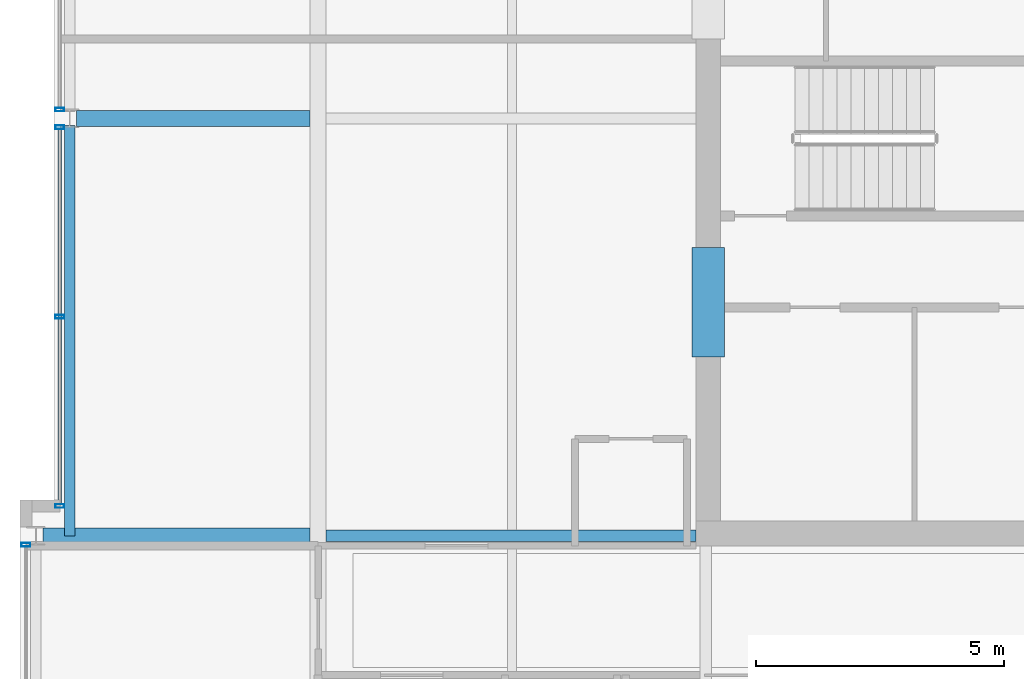
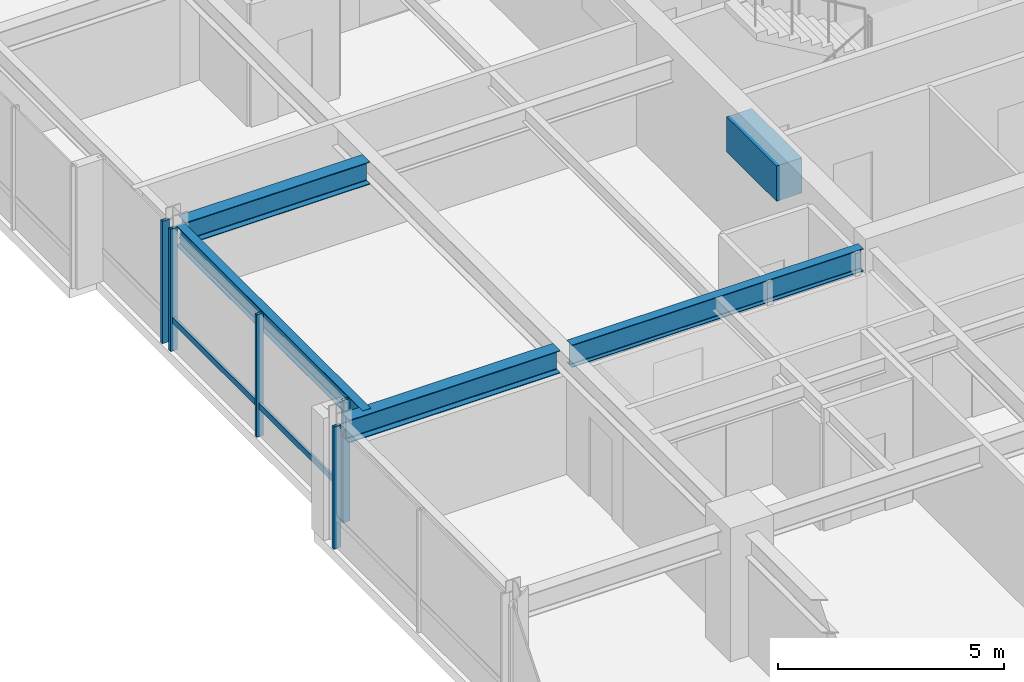
# One storey, part 10 of 34: 6 members, 5 beams, 3 elements without a shape of their own.
"""IFC4 building model written with IfcOpenShell, lengths in metres."""

from ifc_helpers import new_model, si_unit, direction, frame, origin, origin_2d, place, context, subcontext, project, spatial, rectangle, hollow_rectangle, i_section, extrude, material, layer, layer_set, material_profile, profile_set, type_object, element, aggregate, save


model = new_model("IFC4")

# Units and contexts
model_context = context("Model", 3, precision=1e-05, world=origin(), true_north=direction((0.0, 1.0)))
body_context = subcontext(model_context, "Body", "Model", "MODEL_VIEW")
ifc_project = project(units=[si_unit("LENGTHUNIT", "METRE"), si_unit("AREAUNIT", "SQUARE_METRE"), si_unit("VOLUMEUNIT", "CUBIC_METRE"), si_unit("PLANEANGLEUNIT", "RADIAN"), si_unit("MASSUNIT", "GRAM", prefix="KILO")], contexts=[model_context])

# Site, building, storey
site_placement = place(None, origin())
site = spatial("IfcSite", under=ifc_project, at=site_placement, CompositionType="ELEMENT")
building_placement = place(site_placement, origin())
building = spatial("IfcBuilding", under=site, at=building_placement, Name="Drelvath Grand Hotel", CompositionType="ELEMENT")
storey_placement = place(building_placement, frame((0.0, 0.0, 251.89990234375)))
storey = spatial("IfcBuildingStorey", under=building, at=storey_placement, Name="L66", CompositionType="ELEMENT", Elevation=251.89990234375)

# Beam
ifc_material_1 = material(Name="Concrete f'c 55 MPa", Category="concrete")
ifc_material_profile_1 = material_profile(ifc_material_1, rectangle(XDim=0.64990234375, YDim=0.949951171875, at=origin_2d()), Name="CB650X950")
ifc_profile_set_1 = profile_set([ifc_material_profile_1], Name="Concrete f'c 55 MPa")
beam_type_1 = type_object("IfcBeamType", Name="Core Coupling Lintel CB650X950", PredefinedType="LINTEL", material=ifc_profile_set_1)
beam_1_placement = place(storey_placement, frame((-8.35009765625, 22.199951171875, 2.8251953125), z_axis=(0.0, 1.0, 0.0), x_axis=(-1.0, 0.0, 0.0)))
element("IfcBeam", 1, at=beam_1_placement, inside=storey, type_object=beam_type_1, Name="L66 Core Coupling Lintel WS", PredefinedType="LINTEL", context=body_context, shape_type="SweptSolid", body=[
    extrude(rectangle(XDim=0.64990234375, YDim=0.949951171875, at=origin_2d()), origin(), (0.0, 0.0, 1.0), 2.199951171875),
])

# Curtain wall, member
ifc_material_2 = material(Name="Platinum-Mist Anodised Aluminium Frame", Category="aluminium")
ifc_layer = layer(ifc_material_2, 0.199951171875)
ifc_layer_set = layer_set([ifc_layer], Name="Platinum-Mist Anodised Aluminium Frame")
curtain_wall_type = type_object("IfcCurtainWallType", Name="Stick Curtain Wall CW-05 Platinum Mist High-Rise", PredefinedType="NOTDEFINED", material=ifc_layer_set)
curtain_wall_1_placement = place(storey_placement, origin())
curtain_wall_1 = element("IfcCurtainWall", 2, at=curtain_wall_1_placement, inside=storey, type_object=curtain_wall_type, Name="L66 CW-05 Curtain Wall CW05-L66-WM1", PredefinedType="NOTDEFINED")
ifc_material_profile_2 = material_profile(ifc_material_2, hollow_rectangle(XDim=0.06494140625, YDim=0.159912109375, WallThickness=0.00390625, at=origin_2d()), Name="HSS160X65X4")
ifc_profile_set_2 = profile_set([ifc_material_profile_2], Name="Platinum-Mist Anodised Aluminium Frame")
member_type_1 = type_object("IfcMemberType", Name="Curtain Wall Horizontal Transom CW-05 HSS160X65X4", PredefinedType="USERDEFINED", material=ifc_profile_set_2)
member_1_placement = place(storey_placement, frame((-21.39990234375, 19.239990234375, 0.8251953125), z_axis=(0.0, 1.0, 0.0), x_axis=(-1.0, 0.0, 0.0)))
member_1 = element("IfcMember", 3, at=member_1_placement, type_object=member_type_1, Name="CW05-L66-WM1 Sill Transom", ObjectType="TRANSOM", PredefinedType="USERDEFINED", context=body_context, shape_type="SweptSolid", body=[
    extrude(hollow_rectangle(XDim=0.06494140625, YDim=0.159912109375, WallThickness=0.00390625, at=origin_2d()), origin(), (0.0, 0.0, 1.0), 7.541748046875),
])

curtain_wall_2_placement = place(storey_placement, origin())
curtain_wall_2 = element("IfcCurtainWall", 4, at=curtain_wall_2_placement, inside=storey, type_object=curtain_wall_type, Name="L66 CW-05 Curtain Wall CW05-L66-WS2", PredefinedType="NOTDEFINED")
ifc_material_profile_3 = material_profile(ifc_material_2, hollow_rectangle(XDim=0.074951171875, YDim=0.179931640625, WallThickness=0.0048828125, at=origin_2d()), Name="HSS180X75X5")
ifc_profile_set_3 = profile_set([ifc_material_profile_3], Name="Platinum-Mist Anodised Aluminium Frame")
member_type_2 = type_object("IfcMemberType", Name="Curtain Wall Vertical Mullion CW-05 HSS180X75X5", PredefinedType="MULLION", material=ifc_profile_set_3)
member_2_placement = place(storey_placement, frame((-22.080078125, 18.421875, 0.0), z_axis=(0.0, 0.0, 1.0), x_axis=(0.0, 1.0, 0.0)))
member_2 = element("IfcMember", 5, at=member_2_placement, type_object=member_type_2, Name="CW05-L66-WS2 Mullion 3", PredefinedType="MULLION", context=body_context, shape_type="SweptSolid", body=[
    extrude(hollow_rectangle(XDim=0.074951171875, YDim=0.179931640625, WallThickness=0.0048828125, at=origin_2d()), origin(), (0.0, 0.0, 1.0), 3.300048828125),
])
aggregate(curtain_wall_2, [member_2])

# Member
member_3_placement = place(storey_placement, frame((-21.39990234375, 19.199951171875, 0.0), z_axis=(0.0, 0.0, 1.0), x_axis=(0.0, 1.0, 0.0)))
member_3 = element("IfcMember", 6, at=member_3_placement, type_object=member_type_2, Name="CW05-L66-WM1 Mullion 1", PredefinedType="MULLION", context=body_context, shape_type="SweptSolid", body=[
    extrude(hollow_rectangle(XDim=0.074951171875, YDim=0.179931640625, WallThickness=0.0048828125, at=origin_2d()), origin(), (0.0, 0.0, 1.0), 3.300048828125),
])

member_4_placement = place(storey_placement, frame((-21.39990234375, 23.010986328125, 0.0), z_axis=(0.0, 0.0, 1.0), x_axis=(0.0, 1.0, 0.0)))
member_4 = element("IfcMember", 7, at=member_4_placement, type_object=member_type_2, Name="CW05-L66-WM1 Mullion 2", PredefinedType="MULLION", context=body_context, shape_type="SweptSolid", body=[
    extrude(hollow_rectangle(XDim=0.074951171875, YDim=0.179931640625, WallThickness=0.0048828125, at=origin_2d()), origin(), (0.0, 0.0, 1.0), 3.300048828125),
])

member_5_placement = place(storey_placement, frame((-21.39990234375, 26.82177734375, 0.0), z_axis=(0.0, 0.0, 1.0), x_axis=(0.0, 1.0, 0.0)))
member_5 = element("IfcMember", 8, at=member_5_placement, type_object=member_type_2, Name="CW05-L66-WM1 Mullion 3", PredefinedType="MULLION", context=body_context, shape_type="SweptSolid", body=[
    extrude(hollow_rectangle(XDim=0.074951171875, YDim=0.179931640625, WallThickness=0.0048828125, at=origin_2d()), origin(), (0.0, 0.0, 1.0), 3.300048828125),
])

aggregate(curtain_wall_1, [member_3, member_4, member_5, member_1])

# Curtain wall, member
curtain_wall_3_placement = place(storey_placement, origin())
curtain_wall_3 = element("IfcCurtainWall", 9, at=curtain_wall_3_placement, inside=storey, type_object=curtain_wall_type, Name="L66 CW-05 Curtain Wall CW05-L66-WM2", PredefinedType="NOTDEFINED")
member_6_placement = place(storey_placement, frame((-21.39990234375, 27.17822265625, 0.0), z_axis=(0.0, 0.0, 1.0), x_axis=(0.0, 1.0, 0.0)))
member_6 = element("IfcMember", 10, at=member_6_placement, type_object=member_type_2, Name="CW05-L66-WM2 Mullion 1", PredefinedType="MULLION", context=body_context, shape_type="SweptSolid", body=[
    extrude(hollow_rectangle(XDim=0.074951171875, YDim=0.179931640625, WallThickness=0.0048828125, at=origin_2d()), origin(), (0.0, 0.0, 1.0), 3.300048828125),
])
aggregate(curtain_wall_3, [member_6])

# Beams
ifc_material_3 = material(Name="Steel ASTM A992 Gr 50", Category="steel")
ifc_material_profile_4 = material_profile(ifc_material_3, i_section(OverallWidth=0.210205078125, OverallDepth=0.53662109375, WebThickness=0.010986328125, FlangeThickness=0.017333984375, FilletRadius=0.01806640625, at=origin_2d()), Name="W21X68")
ifc_profile_set_4 = profile_set([ifc_material_profile_4], Name="Steel ASTM A992 Gr 50")
beam_type_2 = type_object("IfcBeamType", Name="Perimeter Spandrel Beam W21X68", PredefinedType="SPANDREL", material=ifc_profile_set_4)
beam_2_placement = place(storey_placement, frame((-21.199951171875, 18.60009765625, 3.03173828125), z_axis=(0.0, 1.0, 0.0), x_axis=(-1.0, 0.0, 0.0)))
element("IfcBeam", 11, at=beam_2_placement, inside=storey, type_object=beam_type_2, Name="L66 Spandrel West Mid S", PredefinedType="SPANDREL", context=body_context, shape_type="SweptSolid", body=[
    extrude(i_section(OverallWidth=0.210205078125, OverallDepth=0.53662109375, WebThickness=0.010986328125, FlangeThickness=0.017333984375, FilletRadius=0.01806640625, at=origin_2d()), origin(), (0.0, 0.0, 1.0), 8.260009765625),
])
ifc_material_profile_5 = material_profile(ifc_material_3, i_section(OverallWidth=0.323974609375, OverallDepth=0.611083984375, WebThickness=0.0126953125, FlangeThickness=0.01904296875, FilletRadius=0.02197265625, at=origin_2d()), Name="W24X104")
ifc_profile_set_5 = profile_set([ifc_material_profile_5], Name="Steel ASTM A992 Gr 50")
beam_type_3 = type_object("IfcBeamType", Name="Primary Floor Girder W24X104", PredefinedType="BEAM", material=ifc_profile_set_5)
beam_3_placement = place(storey_placement, frame((-21.739990234375, 18.60009765625, 2.994384765625), z_axis=(1.0, 0.0, 0.0), x_axis=(0.0, 1.0, 0.0)))
element("IfcBeam", 12, at=beam_3_placement, inside=storey, type_object=beam_type_3, Name="L66 West Wing Girder D", PredefinedType="BEAM", context=body_context, shape_type="SweptSolid", body=[
    extrude(i_section(OverallWidth=0.323974609375, OverallDepth=0.611083984375, WebThickness=0.0126953125, FlangeThickness=0.01904296875, FilletRadius=0.02197265625, at=origin_2d()), origin(), (0.0, 0.0, 1.0), 5.3779296875),
])
beam_4_placement = place(storey_placement, frame((-21.06005859375, 27.0, 2.994384765625), z_axis=(1.0, 0.0, 0.0), x_axis=(0.0, 1.0, 0.0)))
element("IfcBeam", 13, at=beam_4_placement, inside=storey, type_object=beam_type_3, Name="L66 West Wing Girder E", PredefinedType="BEAM", context=body_context, shape_type="SweptSolid", body=[
    extrude(i_section(OverallWidth=0.323974609375, OverallDepth=0.611083984375, WebThickness=0.0126953125, FlangeThickness=0.01904296875, FilletRadius=0.02197265625, at=origin_2d()), origin(), (0.0, 0.0, 1.0), 4.697998046875),
])
ifc_material_profile_6 = material_profile(ifc_material_3, i_section(OverallWidth=0.228271484375, OverallDepth=0.607666015625, WebThickness=0.01123046875, FlangeThickness=0.017333984375, FilletRadius=0.02001953125, at=origin_2d()), Name="W24X76")
ifc_profile_set_6 = profile_set([ifc_material_profile_6], Name="Steel ASTM A992 Gr 50")
beam_type_4 = type_object("IfcBeamType", Name="Primary Floor Girder W24X76", PredefinedType="BEAM", material=ifc_profile_set_6)
beam_5_placement = place(storey_placement, frame((-16.0380859375, 18.60009765625, 2.996337890625), z_axis=(1.0, 0.0, 0.0), x_axis=(0.0, 1.0, 0.0)))
element("IfcBeam", 14, at=beam_5_placement, inside=storey, type_object=beam_type_4, Name="L66 West Core Tie D", PredefinedType="BEAM", context=body_context, shape_type="SweptSolid", body=[
    extrude(i_section(OverallWidth=0.228271484375, OverallDepth=0.607666015625, WebThickness=0.01123046875, FlangeThickness=0.017333984375, FilletRadius=0.02001953125, at=origin_2d()), origin(), (0.0, 0.0, 1.0), 7.43798828125),
])

save(model, "model.ifc")
